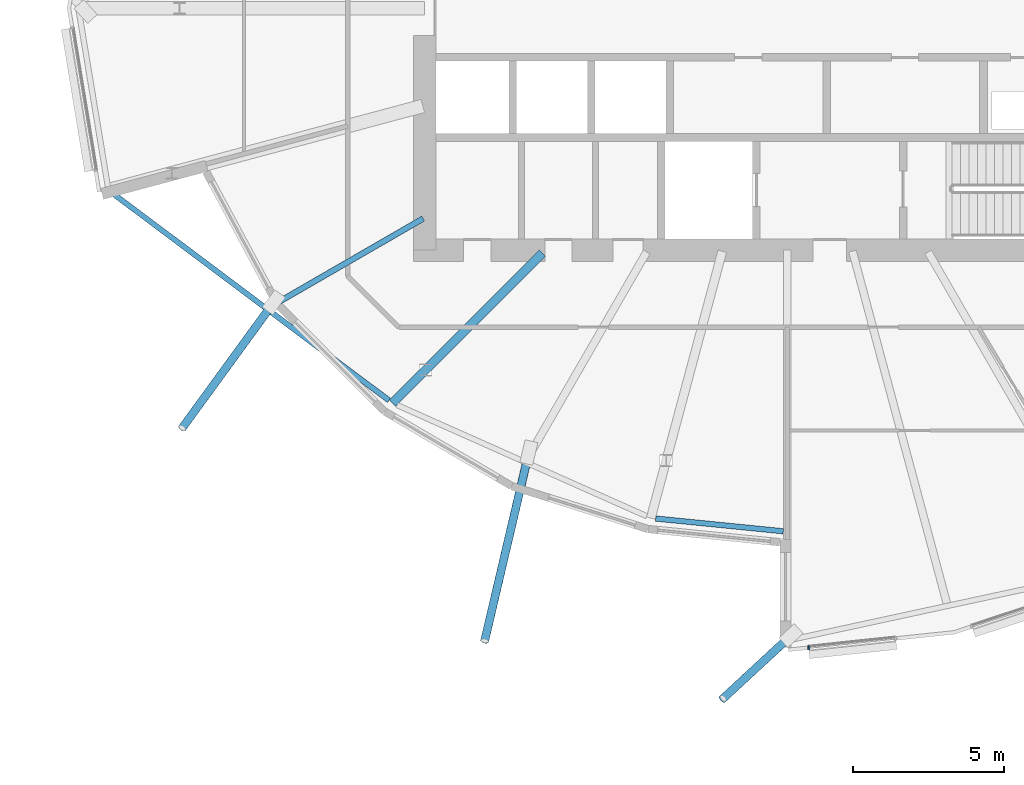
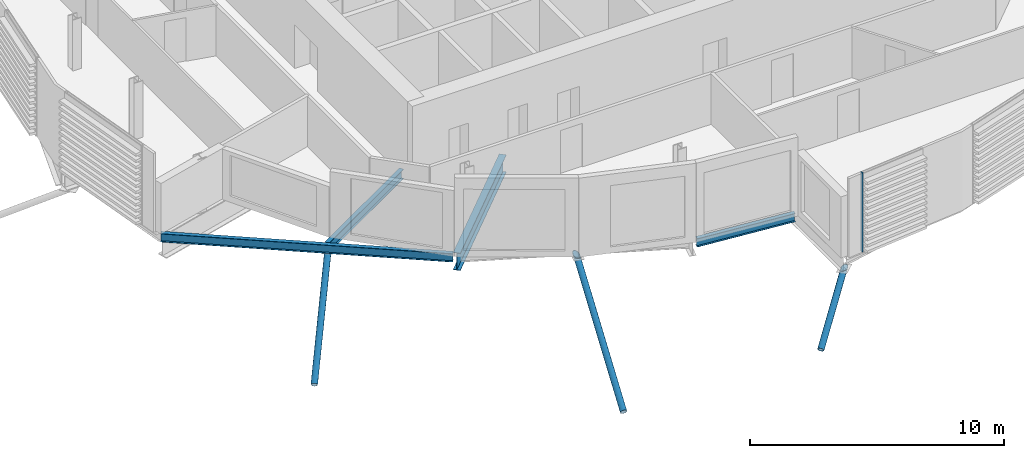
# One storey, part 3 of 42: 4 beams, 4 members, 1 element without a shape of its own.
"""IFC4 building model written with IfcOpenShell, lengths in metres."""

from ifc_helpers import new_model, si_unit, direction, frame, origin, origin_2d, place, context, subcontext, project, spatial, rectangle, hollow_circle, i_section, extrude, clip, halfspace, material, material_profile, profile_set, type_object, element, aggregate, save


model = new_model("IFC4")

# Units and contexts
model_context = context("Model", 3, precision=1e-05, world=origin(), true_north=direction((0.0, 1.0)))
body_context = subcontext(model_context, "Body", "Model", "MODEL_VIEW")
ifc_project = project(units=[si_unit("LENGTHUNIT", "METRE"), si_unit("AREAUNIT", "SQUARE_METRE"), si_unit("VOLUMEUNIT", "CUBIC_METRE"), si_unit("PLANEANGLEUNIT", "RADIAN"), si_unit("MASSUNIT", "GRAM", prefix="KILO")], contexts=[model_context])

# Site, building, storey
site_placement = place(None, origin())
site = spatial("IfcSite", under=ifc_project, at=site_placement, CompositionType="ELEMENT")
building_placement = place(site_placement, origin())
building = spatial("IfcBuilding", under=site, at=building_placement, Name="Rimbun Link Towers", CompositionType="ELEMENT")
storey_placement = place(building_placement, frame((0.0, 0.0, 85.39990234375)))
storey = spatial("IfcBuildingStorey", under=building, at=storey_placement, Name="L20", CompositionType="ELEMENT", Elevation=85.39990234375)

# Curtain wall, member
ifc_material_1 = material(Name="Aluminium 6063-T6 and low-iron glass", Category="aluminium")
curtain_wall_type = type_object("IfcCurtainWallType", Name="CW1-Z2 unitised vision wall (zone 2)", PredefinedType="NOTDEFINED", material=ifc_material_1)
curtain_wall_placement = place(storey_placement, origin())
curtain_wall = element("IfcCurtainWall", 1, at=curtain_wall_placement, inside=storey, type_object=curtain_wall_type, Name="CW1 L20 T1", PredefinedType="NOTDEFINED")
ifc_material_2 = material(Name="Aluminium 6063-T6", Category="aluminium")
ifc_material_profile_1 = material_profile(ifc_material_2, rectangle(XDim=0.1201171875, YDim=0.06005859375, at=origin_2d()), Name="MULLION 60X120")
ifc_profile_set_1 = profile_set([ifc_material_profile_1], Name="Aluminium 6063-T6")
member_type_1 = type_object("IfcMemberType", Name="CW1 mullion 60X120", PredefinedType="MULLION", material=ifc_profile_set_1)
member_1_placement = place(storey_placement, frame((-31.047607421875, -21.15234375, 0.0), z_axis=(0.0, 0.0, 1.0), x_axis=(0.104736404583, -0.994500017876, 0.0)))
member_1 = element("IfcMember", 2, at=member_1_placement, type_object=member_type_1, Name="CW1 mullion", PredefinedType="MULLION", context=body_context, shape_type="SweptSolid", body=[
    extrude(rectangle(XDim=0.1201171875, YDim=0.06005859375, at=origin_2d()), origin(), (0.0, 0.0, 1.0), 3.800048828125),
])
aggregate(curtain_wall, [member_1])

# Members
ifc_material_3 = material(Name="Steel S355J2H", Category="steel")
ifc_material_profile_2 = material_profile(ifc_material_3, hollow_circle(Radius=0.136474609375, WallThickness=0.012451171875, at=origin_2d()), Name="CHS 273x12.5")
ifc_profile_set_2 = profile_set([ifc_material_profile_2], Name="Steel S355J2H")
member_type_2 = type_object("IfcMemberType", Name="Floor edge link CHS 273x12.5", PredefinedType="BRACE", material=ifc_profile_set_2)
member_2_placement = place(storey_placement, frame((-48.843017578125, -9.86865234375, -0.73291015625), z_axis=(-0.512060509438, -0.7028047538, -0.493821336832), x_axis=(0.808227166395, -0.588870824121, 0.0)))
element("IfcMember", 3, at=member_2_placement, inside=storey, type_object=member_type_2, Name="Floor edge link T1 L20 14", PredefinedType="BRACE", context=body_context, shape_type="Clipping", body=[
    clip(extrude(hollow_circle(Radius=0.136474609375, WallThickness=0.012451171875, at=origin_2d()), frame((0.0, 0.0, -0.5009765625)), (0.0, 0.0, 1.0), 6.22998046875), halfspace(frame((0.0, 0.0, -0.238037109375), z_axis=(0.0, 0.869563388885, -0.493821336832)), False)),
])
member_3_placement = place(storey_placement, frame((-40.348876953125, -14.8935546875, -0.96630859375), z_axis=(-0.204001101448, -0.869330455198, -0.45016453689), x_axis=(0.973553630339, -0.228458593301, 0.0)))
element("IfcMember", 4, at=member_3_placement, inside=storey, type_object=member_type_2, Name="Floor edge link T1 L20 16", PredefinedType="BRACE", context=body_context, shape_type="Clipping", body=[
    clip(extrude(hollow_circle(Radius=0.136474609375, WallThickness=0.012451171875, at=origin_2d()), frame((0.0, 0.0, -0.563720703125)), (0.0, 0.0, 1.0), 7.51806640625), halfspace(frame((0.0, 0.0, -0.2685546875), z_axis=(0.0, 0.892945625291, -0.45016453689)), False)),
])
member_4_placement = place(storey_placement, frame((-31.75, -20.864501953125, -0.9609375), z_axis=(-0.631149036449, -0.583744831533, -0.510776727591), x_axis=(0.678999338373, -0.734138882289, 0.0)))
element("IfcMember", 5, at=member_4_placement, inside=storey, type_object=member_type_2, Name="Floor edge link T1 L20 18", PredefinedType="BRACE", context=body_context, shape_type="Clipping", body=[
    clip(extrude(hollow_circle(Radius=0.136474609375, WallThickness=0.012451171875, at=origin_2d()), frame((0.0, 0.0, -0.47900390625)), (0.0, 0.0, 1.0), 3.888427734375), halfspace(frame((0.0, 0.0, -0.22607421875), z_axis=(0.0, 0.859713402566, -0.510776727591)), False)),
])

# Beams
ifc_material_4 = material(Name="Steel S355J2", Category="steel")
ifc_material_profile_3 = material_profile(ifc_material_4, i_section(OverallWidth=0.177978515625, OverallDepth=0.406494140625, WebThickness=0.0078125, FlangeThickness=0.0126953125, at=origin_2d()), Name="UB 406x178x60")
ifc_profile_set_3 = profile_set([ifc_material_profile_3], Name="Steel S355J2")
beam_type_1 = type_object("IfcBeamType", Name="UB 406x178x60", PredefinedType="BEAM", material=ifc_profile_set_3)
beam_1_placement = place(storey_placement, frame((-54.20751953125, -6.018310546875, -0.363037109375), z_axis=(0.80024250892, -0.599676518565, 0.0), x_axis=(0.599676518565, 0.80024250892, 0.0)))
element("IfcBeam", 6, at=beam_1_placement, inside=storey, type_object=beam_type_1, Name="Edge beam T1 L20 13-15", PredefinedType="BEAM", context=body_context, shape_type="SweptSolid", body=[
    extrude(i_section(OverallWidth=0.177978515625, OverallDepth=0.406494140625, WebThickness=0.0078125, FlangeThickness=0.0126953125, at=origin_2d()), origin(), (0.0, 0.0, 1.0), 11.594482421875),
])
beam_2_placement = place(storey_placement, frame((-36.105712890625, -16.87939453125, -0.363037109375), z_axis=(0.995043459345, -0.099441007713, 0.0), x_axis=(0.099441007713, 0.995043459345, 0.0)))
element("IfcBeam", 7, at=beam_2_placement, inside=storey, type_object=beam_type_1, Name="Edge beam T1 L20 17 recess", PredefinedType="BEAM", context=body_context, shape_type="SweptSolid", body=[
    extrude(i_section(OverallWidth=0.177978515625, OverallDepth=0.406494140625, WebThickness=0.0078125, FlangeThickness=0.0126953125, at=origin_2d()), origin(), (0.0, 0.0, 1.0), 4.239990234375),
])
ifc_material_5 = material(Name="Steel S355J2", Category="steel")
ifc_material_profile_4 = material_profile(ifc_material_5, i_section(OverallWidth=0.18994140625, OverallDepth=0.453369140625, WebThickness=0.008544921875, FlangeThickness=0.0126953125, at=origin_2d()), Name="UB 457x191x67")
ifc_profile_set_4 = profile_set([ifc_material_profile_4], Name="Steel S355J2")
beam_type_2 = type_object("IfcBeamType", Name="UB 457x191x67", PredefinedType="BEAM", material=ifc_profile_set_4)
beam_3_placement = place(storey_placement, frame((-43.79833984375, -6.9560546875, -0.38671875), z_axis=(-0.86602503688, -0.500000635496, 0.0), x_axis=(0.500000635496, -0.86602503688, 0.0)))
element("IfcBeam", 8, at=beam_3_placement, inside=storey, type_object=beam_type_2, Name="Radial beam T1 L20 14", PredefinedType="BEAM", context=body_context, shape_type="SweptSolid", body=[
    extrude(i_section(OverallWidth=0.18994140625, OverallDepth=0.453369140625, WebThickness=0.008544921875, FlangeThickness=0.0126953125, at=origin_2d()), origin(), (0.0, 0.0, 1.0), 5.875),
])
ifc_material_6 = material(Name="Steel S355J2", Category="steel")
ifc_material_profile_5 = material_profile(ifc_material_6, i_section(OverallWidth=0.29248046875, OverallDepth=0.8408203125, WebThickness=0.0126953125, FlangeThickness=0.021728515625, at=origin_2d()), Name="UB 838x292x194")
ifc_profile_set_5 = profile_set([ifc_material_profile_5], Name="Steel S355J2")
beam_type_3 = type_object("IfcBeamType", Name="UB 838x292x194", PredefinedType="BEAM", material=ifc_profile_set_5)
beam_4_placement = place(storey_placement, frame((-39.85400390625, -8.10400390625, -0.580322265625), z_axis=(-0.707106781187, -0.707106781187, 0.0), x_axis=(0.707106781187, -0.707106781187, 0.0)))
element("IfcBeam", 9, at=beam_4_placement, inside=storey, type_object=beam_type_3, Name="Radial beam T1 L20 15", PredefinedType="BEAM", context=body_context, shape_type="SweptSolid", body=[
    extrude(i_section(OverallWidth=0.29248046875, OverallDepth=0.8408203125, WebThickness=0.0126953125, FlangeThickness=0.021728515625, at=origin_2d()), origin(), (0.0, 0.0, 1.0), 7.00927734375),
])

save(model, "model.ifc")
